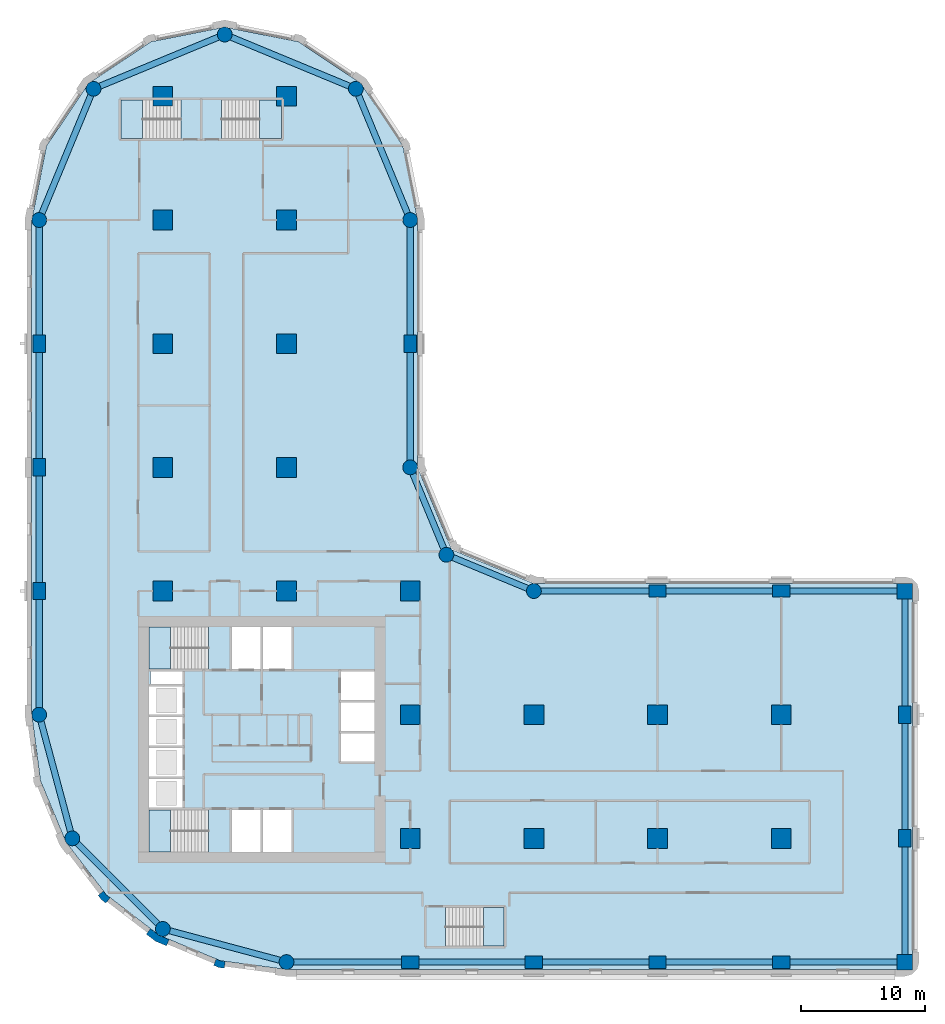
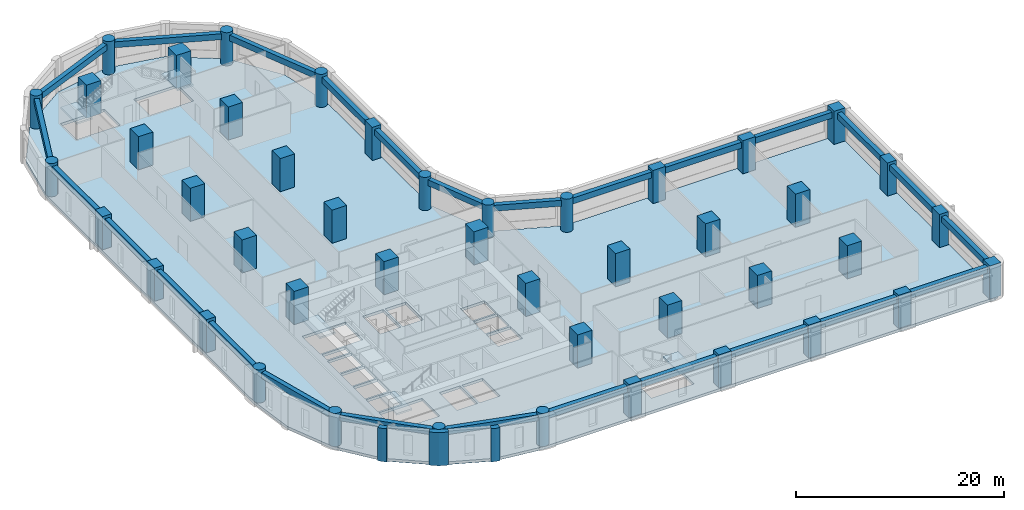
# One storey, part 1 of 10: 45 columns, 26 beams, 6 slabs, 3 walls, 5 elements without a shape of their own.
"""IFC4 building model written with IfcOpenShell, lengths in metres."""

import ifcopenshell
import ifcopenshell.guid

model = None  # the IFC model being written
_history = None  # IfcOwnerHistory: only IFC2X3 demands one
_inside = {}  # id of a spatial element -> (the spatial element, [elements in it])
_under = {}  # id of a project, library or spatial element -> (it, [spatial elements below it])
_declared = {}  # id of a project -> (the project, [libraries it declares])
_typed = {}  # id of a type object -> (the type object, [elements of that type])
_made_of = {}  # id of a material, layer set ... -> (it, [elements and type objects made of it])


def new_model(schema):
    """Start an empty IFC model of exactly this schema.

    Asked for "IFC4X3", IfcOpenShell would pick the latest addendum, in which some entities
    have other attributes; the version numbers below select the first issue.
    IFC2X3 requires an IfcOwnerHistory on every rooted entity: one is made here for all.
    """
    global model, _history
    if schema == "IFC4X3":
        model = ifcopenshell.file(schema_version=(4, 3, 0, 0))
    else:
        model = ifcopenshell.file(schema=schema)
    _inside.clear()
    _under.clear()
    _declared.clear()
    _typed.clear()
    _made_of.clear()
    _history = None
    if model.schema == "IFC2X3":
        org = make("IfcOrganization", Name="unknown")
        user = make(
            "IfcPersonAndOrganization",
            ThePerson=make("IfcPerson", FamilyName="unknown"),
            TheOrganization=org,
        )
        app = make(
            "IfcApplication",
            ApplicationDeveloper=org,
            Version="unknown",
            ApplicationFullName="unknown",
            ApplicationIdentifier="unknown",
        )
        _history = make(
            "IfcOwnerHistory",
            OwningUser=user,
            OwningApplication=app,
            ChangeAction="ADDED",
            CreationDate=0,
        )
    return model


def make(cls, **values):
    """One entity of the class cls with the attributes given. An attribute that is None is left unset."""
    return model.create_entity(
        cls, **{name: value for name, value in values.items() if value is not None}
    )


def rooted(cls, **values):
    """An entity with a GlobalId (a new one), such as an element, a storey or a relation."""
    return make(cls, GlobalId=ifcopenshell.guid.new(), OwnerHistory=_history, **values)


def si_unit(unit_type, name, prefix=None):
    """IfcSIUnit, for example si_unit("LENGTHUNIT", "METRE", prefix="MILLI")."""
    return make("IfcSIUnit", UnitType=unit_type, Prefix=prefix, Name=name)


def assignment(units):
    """IfcUnitAssignment: the units of a project."""
    return None if units is None else make("IfcUnitAssignment", Units=units)


def point(xyz):
    """IfcCartesianPoint."""
    return None if xyz is None else make("IfcCartesianPoint", Coordinates=xyz)


def direction(xyz):
    """IfcDirection."""
    return None if xyz is None else make("IfcDirection", DirectionRatios=xyz)


def frame(location, z_axis=None, x_axis=None):
    """IfcAxis2Placement3D, a coordinate frame: its origin and axes. An axis left out is left unset."""
    return make(
        "IfcAxis2Placement3D",
        Location=point(location),
        Axis=direction(z_axis),
        RefDirection=direction(x_axis),
    )


def frame_2d(location, x_axis=None):
    """IfcAxis2Placement2D, a coordinate frame in the plane: its origin and x axis."""
    return make(
        "IfcAxis2Placement2D", Location=point(location), RefDirection=direction(x_axis)
    )


def origin():
    """The frame at (0, 0, 0) with its axes left unset."""
    return frame((0.0, 0.0, 0.0))


def origin_2d():
    """The frame at (0, 0) in the plane with its x axis left unset."""
    return frame_2d((0.0, 0.0))


def place(relative_to, where):
    """IfcLocalPlacement: puts the frame where relative to a parent placement (None: the world)."""
    return make(
        "IfcLocalPlacement", PlacementRelTo=relative_to, RelativePlacement=where
    )


def context(
    kind, dimensions, precision=None, world=None, true_north=None, identifier=None
):
    """IfcGeometricRepresentationContext, for example the 3D "Model" context."""
    return make(
        "IfcGeometricRepresentationContext",
        ContextIdentifier=identifier,
        ContextType=kind,
        CoordinateSpaceDimension=dimensions,
        Precision=precision,
        WorldCoordinateSystem=world,
        TrueNorth=true_north,
    )


def subcontext(parent, identifier, kind, view, scale=None):
    """IfcGeometricRepresentationSubContext, for example "Body" below "Model"."""
    return make(
        "IfcGeometricRepresentationSubContext",
        ContextIdentifier=identifier,
        ContextType=kind,
        ParentContext=parent,
        TargetScale=scale,
        TargetView=view,
    )


def project(units=None, contexts=None):
    """IfcProject with its units and contexts."""
    return rooted(
        "IfcProject",
        Name="project",
        RepresentationContexts=contexts,
        UnitsInContext=assignment(units),
    )


def spatial(cls, under=None, at=None, **own):
    """A site, building, storey or space (cls), placed at a placement, below another one or the project."""
    s = rooted(cls, ObjectPlacement=at, **own)
    if under is not None:
        _under.setdefault(under.id(), (under, []))[1].append(s)
    return s


def polyline(points):
    """IfcPolyline through the points."""
    return make("IfcPolyline", Points=[point(p) for p in points])


def profile(cls, at=None, kind="AREA", **sizes):
    """A parametric profile (cls). Its sizes go by their IFC names, for example OverallWidth=200.0."""
    return make(cls, ProfileType=kind, Position=at, **sizes)


def rectangle(**sizes):
    """IfcRectangleProfileDef."""
    return profile("IfcRectangleProfileDef", **sizes)


def circle(**sizes):
    """IfcCircleProfileDef."""
    return profile("IfcCircleProfileDef", **sizes)


def outline(outer, holes=None, kind="AREA"):
    """IfcArbitraryClosedProfileDef: a profile drawn as a closed curve; with holes, ...WithVoids."""
    if holes is None:
        return make("IfcArbitraryClosedProfileDef", ProfileType=kind, OuterCurve=outer)
    return make(
        "IfcArbitraryProfileDefWithVoids",
        ProfileType=kind,
        OuterCurve=outer,
        InnerCurves=holes,
    )


def extrude(swept, where, along, depth):
    """IfcExtrudedAreaSolid: the profile swept, set in the frame where, extruded along a direction by depth."""
    return make(
        "IfcExtrudedAreaSolid",
        SweptArea=swept,
        Position=where,
        ExtrudedDirection=direction(along),
        Depth=depth,
    )


def shape(context_of_items, identifier, shape_type, items):
    """IfcShapeRepresentation: the items that make up one representation, for example the "Body"."""
    return make(
        "IfcShapeRepresentation",
        ContextOfItems=context_of_items,
        RepresentationIdentifier=identifier,
        RepresentationType=shape_type,
        Items=items,
    )


def material(Name=None, Category=None):
    """IfcMaterial."""
    return make("IfcMaterial", Name=Name, Category=Category)


def layer(
    of_material, thickness, ventilated=None, Name=None, Category=None, Priority=None
):
    """IfcMaterialLayer: one layer of a wall or slab, of a material (None: an air gap)."""
    return make(
        "IfcMaterialLayer",
        Material=of_material,
        LayerThickness=thickness,
        IsVentilated=ventilated,
        Name=Name,
        Category=Category,
        Priority=Priority,
    )


def layer_set(layers, Name=None):
    """IfcMaterialLayerSet."""
    return make("IfcMaterialLayerSet", MaterialLayers=layers, LayerSetName=Name)


def material_profile(
    of_material, cross_section, Name=None, Category=None, Priority=None
):
    """IfcMaterialProfile: a cross section and its material."""
    return make(
        "IfcMaterialProfile",
        Name=Name,
        Material=of_material,
        Profile=cross_section,
        Priority=Priority,
        Category=Category,
    )


def profile_set(profiles, Name=None, composite=None):
    """IfcMaterialProfileSet."""
    return make(
        "IfcMaterialProfileSet",
        Name=Name,
        MaterialProfiles=profiles,
        CompositeProfile=composite,
    )


def made_of(thing, what):
    """Note that an element or type object is made of a material, layer set ...; save() writes the relation."""
    if what is not None:
        _made_of.setdefault(what.id(), (what, []))[1].append(thing)
    return thing


def type_object(cls, material=None, **own):
    """A type object (cls), such as IfcWallType, which elements share."""
    return made_of(rooted(cls, **own), material)


def element(
    cls,
    number,
    at=None,
    inside=None,
    cuts=None,
    type_object=None,
    material=None,
    context=None,
    identifier="Body",
    shape_type=None,
    held_by="IfcProductDefinitionShape",
    body=None,
    shapes=None,
    **own,
):
    """One element of the class cls, such as IfcWall. Its Tag is "e" and its number.

    at: its placement. inside: the storey or other place that contains it. cuts: it is an
    opening in that element (IfcRelVoidsElement). A single representation is given by context,
    identifier, shape_type and body (its items); several are given by shapes. held_by: the class
    of the entity that holds the representations. save() writes the other relations.
    """
    e = rooted(cls, Tag="e%d" % number, ObjectPlacement=at, **own)
    if body is not None:
        shapes = [shape(context, identifier, shape_type, body)]
    if shapes is not None:
        e.Representation = make(held_by, Representations=shapes)
    if inside is not None:
        _inside.setdefault(inside.id(), (inside, []))[1].append(e)
    if cuts is not None:
        rooted(
            "IfcRelVoidsElement", RelatingBuildingElement=cuts, RelatedOpeningElement=e
        )
    if type_object is not None:
        _typed.setdefault(type_object.id(), (type_object, []))[1].append(e)
    return made_of(e, material)


def aggregate(whole, parts):
    """IfcRelAggregates: a whole, such as a stair, and the parts it consists of."""
    return rooted("IfcRelAggregates", RelatingObject=whole, RelatedObjects=parts)


def save(model, path):
    """Write the relations noted so far, then the file.

    IfcRelAggregates (storeys below a building ...), IfcRelContainedInSpatialStructure (elements
    in a storey), IfcRelDefinesByType, IfcRelAssociatesMaterial and IfcRelDeclares: one each for
    every whole, place, type object, material and project.
    """
    for whole, parts in _under.values():
        aggregate(whole, parts)
    for where, things in _inside.values():
        rooted(
            "IfcRelContainedInSpatialStructure",
            RelatedElements=things,
            RelatingStructure=where,
        )
    for kind, things in _typed.values():
        rooted("IfcRelDefinesByType", RelatedObjects=things, RelatingType=kind)
    for what, things in _made_of.values():
        rooted("IfcRelAssociatesMaterial", RelatedObjects=things, RelatingMaterial=what)
    for by, libraries in _declared.values():
        rooted("IfcRelDeclares", RelatingContext=by, RelatedDefinitions=libraries)
    model.write(path)


model = new_model("IFC4")

# Units and contexts
model_context = context("Model", 3, precision=1e-05, world=origin(), true_north=direction((0.0, 1.0)))
body_context = subcontext(model_context, "Body", "Model", "MODEL_VIEW")
ifc_project = project(units=[si_unit("LENGTHUNIT", "METRE"), si_unit("AREAUNIT", "SQUARE_METRE"), si_unit("VOLUMEUNIT", "CUBIC_METRE"), si_unit("PLANEANGLEUNIT", "RADIAN"), si_unit("MASSUNIT", "GRAM", prefix="KILO")], contexts=[model_context])

# Site, building, storey
site_placement = place(None, origin())
site = spatial("IfcSite", under=ifc_project, at=site_placement, CompositionType="ELEMENT")
building_placement = place(site_placement, origin())
building = spatial("IfcBuilding", under=site, at=building_placement, Name="Qaws Garden Tower", CompositionType="ELEMENT")
storey_placement = place(building_placement, frame((0.0, 0.0, 39.300048828125)))
storey = spatial("IfcBuildingStorey", under=building, at=storey_placement, Name="L09", CompositionType="ELEMENT", Elevation=39.300048828125)

# Columns
ifc_material_1 = material(Name="Concrete C80", Category="concrete")
ifc_material_profile_1 = material_profile(ifc_material_1, rectangle(XDim=1.25, YDim=1.25, at=origin_2d()), Name="RC 1250x1250")
ifc_profile_set_1 = profile_set([ifc_material_profile_1], Name="Concrete C80")
column_type_1 = type_object("IfcColumnType", Name="Column RC 1250x1250 C80", PredefinedType="COLUMN", material=ifc_profile_set_1)
for number, where, z_axis, x_axis, name in (
    (1, (70.0, 0.0, 0.0), (0.0, 0.0, 1.0), (1.0, 0.0, 0.0), "Column L09-006"),
    (2, (70.0, 30.0, 0.0), (0.0, 0.0, 1.0), (1.0, 0.0, 0.0), "Column L09-009"),
):
    element("IfcColumn", number, at=place(storey_placement, frame(where, z_axis=z_axis, x_axis=x_axis)), inside=storey, type_object=column_type_1, Name=name, PredefinedType="COLUMN", context=body_context, shape_type="SweptSolid", body=[
        extrude(rectangle(XDim=1.25, YDim=1.25, at=origin_2d()), origin(), (0.0, 0.0, 1.0), 3.89990234375),
    ])
ifc_material_2 = material(Name="Concrete C80", Category="concrete")
ifc_material_profile_2 = material_profile(ifc_material_2, rectangle(XDim=1.39990234375, YDim=1.0, at=origin_2d()), Name="RC 1400x1000")
ifc_profile_set_2 = profile_set([ifc_material_profile_2], Name="Concrete C80")
column_type_2 = type_object("IfcColumnType", Name="Column RC 1400x1000 C80", PredefinedType="COLUMN", material=ifc_profile_set_2)
for number, where, z_axis, x_axis, name in (
    (3, (30.0, 0.0, 0.0), (0.0, 0.0, 1.0), (1.0, 0.0, 0.0), "Column L09-002"),
    (4, (40.0, 0.0, 0.0), (0.0, 0.0, 1.0), (1.0, 0.0, 0.0), "Column L09-003"),
    (5, (50.0, 0.0, 0.0), (0.0, 0.0, 1.0), (1.0, 0.0, 0.0), "Column L09-004"),
    (6, (60.0, 0.0, 0.0), (0.0, 0.0, 1.0), (1.0, 0.0, 0.0), "Column L09-005"),
    (7, (70.0, 10.0, 0.0), (0.0, 0.0, 1.0), (0.0, 1.0, 0.0), "Column L09-007"),
    (8, (70.0, 20.0, 0.0), (0.0, 0.0, 1.0), (0.0, 1.0, 0.0), "Column L09-008"),
    (9, (60.0, 30.0, 0.0), (0.0, 0.0, 1.0), (1.0, 0.0, 0.0), "Column L09-010"),
    (10, (50.0, 30.0, 0.0), (0.0, 0.0, 1.0), (1.0, 0.0, 0.0), "Column L09-011"),
    (11, (30.0, 50.0, 0.0), (0.0, 0.0, 1.0), (0.0, 1.0, 0.0), "Column L09-015"),
    (12, (0.0, 50.0, 0.0), (0.0, 0.0, 1.0), (0.0, 1.0, 0.0), "Column L09-021"),
    (13, (0.0, 40.0, 0.0), (0.0, 0.0, 1.0), (0.0, 1.0, 0.0), "Column L09-022"),
    (14, (0.0, 30.0, 0.0), (0.0, 0.0, 1.0), (0.0, 1.0, 0.0), "Column L09-023"),
):
    element("IfcColumn", number, at=place(storey_placement, frame(where, z_axis=z_axis, x_axis=x_axis)), inside=storey, type_object=column_type_2, Name=name, PredefinedType="COLUMN", context=body_context, shape_type="SweptSolid", body=[
        extrude(rectangle(XDim=1.39990234375, YDim=1.0, at=origin_2d()), origin(), (0.0, 0.0, 1.0), 3.89990234375),
    ])
ifc_material_3 = material(Name="Concrete C80", Category="concrete")
ifc_material_profile_3 = material_profile(ifc_material_3, rectangle(XDim=1.60009765625, YDim=1.60009765625, at=origin_2d()), Name="RC 1600x1600")
ifc_profile_set_3 = profile_set([ifc_material_profile_3], Name="Concrete C80")
column_type_3 = type_object("IfcColumnType", Name="Column RC 1600x1600 C80", PredefinedType="COLUMN", material=ifc_profile_set_3)
for number, where, z_axis, x_axis, name in (
    (15, (10.0, 30.0, 0.0), (0.0, 0.0, 1.0), (1.0, 0.0, 0.0), "Column L09-027"),
    (16, (10.0, 40.0, 0.0), (0.0, 0.0, 1.0), (1.0, 0.0, 0.0), "Column L09-028"),
    (17, (10.0, 50.0, 0.0), (0.0, 0.0, 1.0), (1.0, 0.0, 0.0), "Column L09-029"),
    (18, (10.0, 60.0, 0.0), (0.0, 0.0, 1.0), (1.0, 0.0, 0.0), "Column L09-030"),
    (19, (10.0, 70.0, 0.0), (0.0, 0.0, 1.0), (1.0, 0.0, 0.0), "Column L09-031"),
    (20, (20.0, 30.0, 0.0), (0.0, 0.0, 1.0), (1.0, 0.0, 0.0), "Column L09-032"),
    (21, (20.0, 40.0, 0.0), (0.0, 0.0, 1.0), (1.0, 0.0, 0.0), "Column L09-033"),
    (22, (20.0, 50.0, 0.0), (0.0, 0.0, 1.0), (1.0, 0.0, 0.0), "Column L09-034"),
    (23, (20.0, 60.0, 0.0), (0.0, 0.0, 1.0), (1.0, 0.0, 0.0), "Column L09-035"),
    (24, (20.0, 70.0, 0.0), (0.0, 0.0, 1.0), (1.0, 0.0, 0.0), "Column L09-036"),
    (25, (30.0, 10.0, 0.0), (0.0, 0.0, 1.0), (1.0, 0.0, 0.0), "Column L09-037"),
    (26, (30.0, 20.0, 0.0), (0.0, 0.0, 1.0), (1.0, 0.0, 0.0), "Column L09-038"),
    (27, (30.0, 30.0, 0.0), (0.0, 0.0, 1.0), (1.0, 0.0, 0.0), "Column L09-039"),
    (28, (40.0, 10.0, 0.0), (0.0, 0.0, 1.0), (1.0, 0.0, 0.0), "Column L09-040"),
    (29, (40.0, 20.0, 0.0), (0.0, 0.0, 1.0), (1.0, 0.0, 0.0), "Column L09-041"),
    (30, (50.0, 10.0, 0.0), (0.0, 0.0, 1.0), (1.0, 0.0, 0.0), "Column L09-042"),
    (31, (50.0, 20.0, 0.0), (0.0, 0.0, 1.0), (1.0, 0.0, 0.0), "Column L09-043"),
    (32, (60.0, 10.0, 0.0), (0.0, 0.0, 1.0), (1.0, 0.0, 0.0), "Column L09-044"),
    (33, (60.0, 20.0, 0.0), (0.0, 0.0, 1.0), (1.0, 0.0, 0.0), "Column L09-045"),
):
    element("IfcColumn", number, at=place(storey_placement, frame(where, z_axis=z_axis, x_axis=x_axis)), inside=storey, type_object=column_type_3, Name=name, PredefinedType="COLUMN", context=body_context, shape_type="SweptSolid", body=[
        extrude(rectangle(XDim=1.60009765625, YDim=1.60009765625, at=origin_2d()), origin(), (0.0, 0.0, 1.0), 3.89990234375),
    ])
ifc_material_4 = material(Name="Concrete C80", Category="concrete")
ifc_material_profile_4 = material_profile(ifc_material_4, circle(Radius=0.60009765625, at=origin_2d()), Name="RC D1200")
ifc_profile_set_4 = profile_set([ifc_material_profile_4], Name="Concrete C80")
column_type_4 = type_object("IfcColumnType", Name="Column RC D1200 C80", PredefinedType="COLUMN", material=ifc_profile_set_4)
for number, where, z_axis, x_axis, name in (
    (34, (20.0, 0.0, 0.0), (0.0, 0.0, 1.0), (1.0, 0.0, 0.0), "Column L09-001"),
    (35, (40.0, 30.0, 0.0), (0.0, 0.0, 1.0), (1.0, 0.0, 0.0), "Column L09-012"),
    (36, (32.928955078125, 32.928955078125, 0.0), (0.0, 0.0, 1.0), (1.0, 0.0, 0.0), "Column L09-013"),
    (37, (30.0, 40.0, 0.0), (0.0, 0.0, 1.0), (1.0, 0.0, 0.0), "Column L09-014"),
    (38, (30.0, 60.0, 0.0), (0.0, 0.0, 1.0), (1.0, 0.0, 0.0), "Column L09-016"),
    (39, (25.606689453125, 70.606689453125, 0.0), (0.0, 0.0, 1.0), (1.0, 0.0, 0.0), "Column L09-017"),
    (40, (15.0, 75.0, 0.0), (0.0, 0.0, 1.0), (1.0, 0.0, 0.0), "Column L09-018"),
    (41, (4.393310546875, 70.606689453125, 0.0), (0.0, 0.0, 1.0), (1.0, 0.0, 0.0), "Column L09-019"),
    (42, (0.0, 60.0, 0.0), (0.0, 0.0, 1.0), (1.0, 0.0, 0.0), "Column L09-020"),
    (43, (0.0, 20.0, 0.0), (0.0, 0.0, 1.0), (1.0, 0.0, 0.0), "Column L09-024"),
    (44, (2.679443359375, 10.0, 0.0), (0.0, 0.0, 1.0), (1.0, 0.0, 0.0), "Column L09-025"),
    (45, (10.0, 2.679443359375, 0.0), (0.0, 0.0, 1.0), (1.0, 0.0, 0.0), "Column L09-026"),
):
    element("IfcColumn", number, at=place(storey_placement, frame(where, z_axis=z_axis, x_axis=x_axis)), inside=storey, type_object=column_type_4, Name=name, PredefinedType="COLUMN", context=body_context, shape_type="SweptSolid", body=[
        extrude(circle(Radius=0.60009765625, at=origin_2d()), origin(), (0.0, 0.0, 1.0), 3.89990234375),
    ])

# Beams
ifc_material_5 = material(Name="Concrete C45", Category="concrete")
ifc_material_profile_5 = material_profile(ifc_material_5, rectangle(XDim=0.5, YDim=0.699951171875, at=origin_2d()), Name="RC 500x700")
ifc_profile_set_5 = profile_set([ifc_material_profile_5], Name="Concrete C45")
beam_type = type_object("IfcBeamType", Name="Spandrel beam RC 500x700 C45", PredefinedType="SPANDREL", material=ifc_profile_set_5)
for number, where, z_axis, x_axis, name in (
    (46, (20.0, 0.0, 3.22998046875), (1.0, 0.0, 0.0), (0.0, 1.0, 0.0), "Spandrel beam L09-001"),
    (47, (30.0, 0.0, 3.22998046875), (1.0, 0.0, 0.0), (0.0, 1.0, 0.0), "Spandrel beam L09-002"),
    (48, (40.0, 0.0, 3.22998046875), (1.0, 0.0, 0.0), (0.0, 1.0, 0.0), "Spandrel beam L09-003"),
    (49, (50.0, 0.0, 3.22998046875), (1.0, 0.0, 0.0), (0.0, 1.0, 0.0), "Spandrel beam L09-004"),
    (50, (60.0, 0.0, 3.22998046875), (1.0, 0.0, 0.0), (0.0, 1.0, 0.0), "Spandrel beam L09-005"),
    (51, (70.0, 0.0, 3.22998046875), (0.0, 1.0, 0.0), (-1.0, 0.0, 0.0), "Spandrel beam L09-006"),
    (52, (70.0, 10.0, 3.22998046875), (0.0, 1.0, 0.0), (-1.0, 0.0, 0.0), "Spandrel beam L09-007"),
    (53, (70.0, 20.0, 3.22998046875), (0.0, 1.0, 0.0), (-1.0, 0.0, 0.0), "Spandrel beam L09-008"),
    (54, (70.0, 30.0, 3.22998046875), (-1.0, 0.0, 0.0), (0.0, -1.0, 0.0), "Spandrel beam L09-009"),
    (55, (60.0, 30.0, 3.22998046875), (-1.0, 0.0, 0.0), (0.0, -1.0, 0.0), "Spandrel beam L09-010"),
    (56, (50.0, 30.0, 3.22998046875), (-1.0, 0.0, 0.0), (0.0, -1.0, 0.0), "Spandrel beam L09-011"),
):
    element("IfcBeam", number, at=place(storey_placement, frame(where, z_axis=z_axis, x_axis=x_axis)), inside=storey, type_object=beam_type, Name=name, PredefinedType="SPANDREL", context=body_context, shape_type="SweptSolid", body=[
        extrude(rectangle(XDim=0.5, YDim=0.699951171875, at=origin_2d()), origin(), (0.0, 0.0, 1.0), 10.0),
    ])
for number, where, z_axis, x_axis, name in (
    (57, (40.0, 30.0, 3.22998046875), (-0.923878037141, 0.382687042488, 0.0), (-0.382687042488, -0.923878037141, 0.0), "Spandrel beam L09-012"),
    (58, (32.928955078125, 32.928955078125, 3.22998046875), (-0.382687042488, 0.923878037141, 0.0), (-0.923878037141, -0.382687042488, 0.0), "Spandrel beam L09-013"),
):
    element("IfcBeam", number, at=place(storey_placement, frame(where, z_axis=z_axis, x_axis=x_axis)), inside=storey, type_object=beam_type, Name=name, PredefinedType="SPANDREL", context=body_context, shape_type="SweptSolid", body=[
        extrude(rectangle(XDim=0.5, YDim=0.699951171875, at=origin_2d()), origin(), (0.0, 0.0, 1.0), 7.653564453125),
    ])
for number, where, z_axis, x_axis, name in (
    (59, (30.0, 40.0, 3.22998046875), (0.0, 1.0, 0.0), (-1.0, 0.0, 0.0), "Spandrel beam L09-014"),
    (60, (30.0, 50.0, 3.22998046875), (0.0, 1.0, 0.0), (-1.0, 0.0, 0.0), "Spandrel beam L09-015"),
):
    element("IfcBeam", number, at=place(storey_placement, frame(where, z_axis=z_axis, x_axis=x_axis)), inside=storey, type_object=beam_type, Name=name, PredefinedType="SPANDREL", context=body_context, shape_type="SweptSolid", body=[
        extrude(rectangle(XDim=0.5, YDim=0.699951171875, at=origin_2d()), origin(), (0.0, 0.0, 1.0), 10.0),
    ])
for number, where, z_axis, x_axis, name in (
    (61, (30.0, 60.0, 3.22998046875), (-0.382674207535, 0.923883353507, 0.0), (-0.923883353507, -0.382674207535, 0.0), "Spandrel beam L09-016"),
    (62, (25.606689453125, 70.606689453125, 3.22998046875), (-0.923883353507, 0.382674207535, 0.0), (-0.382674207535, -0.923883353507, 0.0), "Spandrel beam L09-017"),
    (63, (15.0, 75.0, 3.22998046875), (-0.923883353507, -0.382674207535, 0.0), (0.382674207535, -0.923883353507, 0.0), "Spandrel beam L09-018"),
    (64, (4.393310546875, 70.606689453125, 3.22998046875), (-0.382674207535, -0.923883353507, 0.0), (0.923883353507, -0.382674207535, 0.0), "Spandrel beam L09-019"),
):
    element("IfcBeam", number, at=place(storey_placement, frame(where, z_axis=z_axis, x_axis=x_axis)), inside=storey, type_object=beam_type, Name=name, PredefinedType="SPANDREL", context=body_context, shape_type="SweptSolid", body=[
        extrude(rectangle(XDim=0.5, YDim=0.699951171875, at=origin_2d()), origin(), (0.0, 0.0, 1.0), 11.48046875),
    ])
for number, where, z_axis, x_axis, name in (
    (65, (0.0, 60.0, 3.22998046875), (0.0, -1.0, 0.0), (1.0, 0.0, 0.0), "Spandrel beam L09-020"),
    (66, (0.0, 50.0, 3.22998046875), (0.0, -1.0, 0.0), (1.0, 0.0, 0.0), "Spandrel beam L09-021"),
    (67, (0.0, 40.0, 3.22998046875), (0.0, -1.0, 0.0), (1.0, 0.0, 0.0), "Spandrel beam L09-022"),
    (68, (0.0, 30.0, 3.22998046875), (0.0, -1.0, 0.0), (1.0, 0.0, 0.0), "Spandrel beam L09-023"),
):
    element("IfcBeam", number, at=place(storey_placement, frame(where, z_axis=z_axis, x_axis=x_axis)), inside=storey, type_object=beam_type, Name=name, PredefinedType="SPANDREL", context=body_context, shape_type="SweptSolid", body=[
        extrude(rectangle(XDim=0.5, YDim=0.699951171875, at=origin_2d()), origin(), (0.0, 0.0, 1.0), 10.0),
    ])
for number, where, z_axis, x_axis, name in (
    (69, (0.0, 20.0, 3.22998046875), (0.25881466832, -0.965926999034, 0.0), (0.965926999034, 0.25881466832, 0.0), "Spandrel beam L09-024"),
    (70, (2.679443359375, 10.0, 3.22998046875), (0.707106781187, -0.707106781187, 0.0), (0.707106781187, 0.707106781187, 0.0), "Spandrel beam L09-025"),
    (71, (10.0, 2.679443359375, 3.22998046875), (0.965926999034, -0.25881466832, 0.0), (0.25881466832, 0.965926999034, 0.0), "Spandrel beam L09-026"),
):
    element("IfcBeam", number, at=place(storey_placement, frame(where, z_axis=z_axis, x_axis=x_axis)), inside=storey, type_object=beam_type, Name=name, PredefinedType="SPANDREL", context=body_context, shape_type="SweptSolid", body=[
        extrude(rectangle(XDim=0.5, YDim=0.699951171875, at=origin_2d()), origin(), (0.0, 0.0, 1.0), 10.352783203125),
    ])

# Slab
ifc_material_6 = material(Name="Concrete C40", Category="concrete")
ifc_layer_1 = layer(ifc_material_6, 0.320068359375)
ifc_layer_set_1 = layer_set([ifc_layer_1], Name="Concrete C40")
slab_type_1 = type_object("IfcSlabType", Name="Floor slab 320 C40", PredefinedType="FLOOR", material=ifc_layer_set_1)
slab_1_placement = place(storey_placement, frame((0.0, 0.0, -0.320068359375)))
element("IfcSlab", 72, at=slab_1_placement, inside=storey, type_object=slab_type_1, Name="Floor slab L09", PredefinedType="FLOOR", context=body_context, shape_type="SweptSolid", body=[
    extrude(outline(polyline([(0.101806640625, 14.668212890625), (-0.60009765625, 20.0), (-0.60009765625, 30.60009765625), (-0.60009765625, 60.0), (-0.60009765625, 60.0), (0.58740234375, 65.969970703125), (3.968994140625, 71.031005859375), (9.030029296875, 74.41259765625), (15.0, 75.60009765625), (20.969970703125, 74.41259765625), (26.031005859375, 71.031005859375), (29.41259765625, 65.969970703125), (30.60009765625, 60.0), (30.60009765625, 40.0), (33.353271484375, 33.353271484375), (40.0, 30.60009765625), (70.0, 30.60009765625), (70.42431640625, 30.42431640625), (70.60009765625, 30.0), (70.60009765625, 0.0), (70.42431640625, -0.42431640625), (70.0, -0.60009765625), (30.60009765625, -0.60009765625), (20.0, -0.60009765625), (14.668212890625, 0.101806640625), (9.699951171875, 2.159912109375), (5.43359375, 5.43359375), (2.159912109375, 9.699951171875), (0.101806640625, 14.668212890625)]), holes=[polyline([(13.699462890625, 12.300048828125), (8.89990234375, 12.300048828125), (8.89990234375, 8.89990234375), (13.699462890625, 8.89990234375), (13.699462890625, 12.300048828125)]), polyline([(17.89990234375, 12.300048828125), (15.60009765625, 12.300048828125), (15.60009765625, 8.89990234375), (17.89990234375, 8.89990234375), (17.89990234375, 12.300048828125)]), polyline([(11.60009765625, 14.800048828125), (8.89990234375, 14.800048828125), (8.89990234375, 12.5), (11.60009765625, 12.5), (11.60009765625, 14.800048828125)]), polyline([(11.60009765625, 17.300048828125), (8.89990234375, 17.300048828125), (8.89990234375, 15.0), (11.60009765625, 15.0), (11.60009765625, 17.300048828125)]), polyline([(11.60009765625, 19.800048828125), (8.89990234375, 19.800048828125), (8.89990234375, 17.5), (11.60009765625, 17.5), (11.60009765625, 19.800048828125)]), polyline([(11.60009765625, 22.300048828125), (8.89990234375, 22.300048828125), (8.89990234375, 20.0), (11.60009765625, 20.0), (11.60009765625, 22.300048828125)]), polyline([(11.60009765625, 23.5), (9.0, 23.5), (9.0, 22.5), (11.60009765625, 22.5), (11.60009765625, 23.5)]), polyline([(13.699462890625, 27.10009765625), (8.89990234375, 27.10009765625), (8.89990234375, 23.699951171875), (13.699462890625, 23.699951171875), (13.699462890625, 27.10009765625)]), polyline([(11.449462890625, 69.699951171875), (6.60009765625, 69.699951171875), (6.60009765625, 66.60009765625), (11.449462890625, 66.60009765625), (11.449462890625, 69.699951171875)]), polyline([(37.60009765625, 4.39990234375), (32.8505859375, 4.39990234375), (32.8505859375, 1.300048828125), (37.60009765625, 1.300048828125), (37.60009765625, 4.39990234375)]), polyline([(20.39990234375, 12.300048828125), (18.10009765625, 12.300048828125), (18.10009765625, 8.89990234375), (20.39990234375, 8.89990234375), (20.39990234375, 12.300048828125)]), polyline([(27.10009765625, 18.5), (24.39990234375, 18.5), (24.39990234375, 16.199951171875), (27.10009765625, 16.199951171875), (27.10009765625, 18.5)]), polyline([(27.10009765625, 21.0), (24.39990234375, 21.0), (24.39990234375, 18.699951171875), (27.10009765625, 18.699951171875), (27.10009765625, 21.0)]), polyline([(27.10009765625, 23.5), (24.39990234375, 23.5), (24.39990234375, 21.199951171875), (27.10009765625, 21.199951171875), (27.10009765625, 23.5)]), polyline([(17.89990234375, 27.10009765625), (15.60009765625, 27.10009765625), (15.60009765625, 23.699951171875), (17.89990234375, 23.699951171875), (17.89990234375, 27.10009765625)]), polyline([(20.39990234375, 23.699951171875), (20.39990234375, 27.10009765625), (18.10009765625, 27.10009765625), (18.10009765625, 23.699951171875), (20.39990234375, 23.699951171875)]), polyline([(19.60009765625, 66.60009765625), (19.60009765625, 69.699951171875), (14.75048828125, 69.699951171875), (14.75048828125, 66.60009765625), (19.60009765625, 66.60009765625)])]), origin(), (0.0, 0.0, 1.0), 0.320068359375),
])

# Stair, slab
ifc_material_7 = material(Name="Concrete C40", Category="concrete")
stair_type_1 = type_object("IfcStairType", Name="Exit stair 1500", PredefinedType="HALF_TURN_STAIR", material=ifc_material_7)
placement_1 = place(storey_placement, origin())
stair_1 = element("IfcStair", 73, at=placement_1, inside=storey, type_object=stair_type_1, Name="Stair 1", PredefinedType="HALF_TURN_STAIR")
ifc_material_8 = material(Name="Concrete C40", Category="concrete")
ifc_layer_2 = layer(ifc_material_8, 0.199951171875)
ifc_layer_set_2 = layer_set([ifc_layer_2], Name="Concrete C40")
slab_type_2 = type_object("IfcSlabType", Name="Stair landing 200", PredefinedType="LANDING", material=ifc_layer_set_2)
placement_2 = place(storey_placement, frame((0.0, 0.0, 1.75)))
slab_2 = element("IfcSlab", 74, at=placement_2, type_object=slab_type_2, Name="ST1 landing 1", PredefinedType="LANDING", context=body_context, shape_type="SweptSolid", body=[
    extrude(outline(polyline([(8.89990234375, 8.89990234375), (10.6201171875, 8.89990234375), (10.6201171875, 12.300048828125), (8.89990234375, 12.300048828125), (8.89990234375, 8.89990234375)])), origin(), (0.0, 0.0, 1.0), 0.199951171875),
])
aggregate(stair_1, [slab_2])

stair_2 = element("IfcStair", 75, at=placement_1, inside=storey, type_object=stair_type_1, Name="Stair 4", PredefinedType="HALF_TURN_STAIR")
slab_3 = element("IfcSlab", 76, at=placement_2, type_object=slab_type_2, Name="ST4 landing 1", PredefinedType="LANDING", context=body_context, shape_type="SweptSolid", body=[
    extrude(outline(polyline([(8.89990234375, 23.699951171875), (10.6201171875, 23.699951171875), (10.6201171875, 27.10009765625), (8.89990234375, 27.10009765625), (8.89990234375, 23.699951171875)])), origin(), (0.0, 0.0, 1.0), 0.199951171875),
])
aggregate(stair_2, [slab_3])

ifc_material_9 = material(Name="Concrete C40", Category="concrete")
stair_type_2 = type_object("IfcStairType", Name="Exit stair 1350", PredefinedType="HALF_TURN_STAIR", material=ifc_material_9)
stair_3 = element("IfcStair", 77, at=placement_1, inside=storey, type_object=stair_type_2, Name="Stair 5", PredefinedType="HALF_TURN_STAIR")
slab_4 = element("IfcSlab", 78, at=placement_2, type_object=slab_type_2, Name="ST5 landing 1", PredefinedType="LANDING", context=body_context, shape_type="SweptSolid", body=[
    extrude(outline(polyline([(35.929931640625, 1.300048828125), (37.60009765625, 1.300048828125), (37.60009765625, 4.39990234375), (35.929931640625, 4.39990234375), (35.929931640625, 1.300048828125)])), origin(), (0.0, 0.0, 1.0), 0.199951171875),
])
aggregate(stair_3, [slab_4])

stair_4 = element("IfcStair", 79, at=placement_1, inside=storey, type_object=stair_type_2, Name="Stair 6", PredefinedType="HALF_TURN_STAIR")
slab_5 = element("IfcSlab", 80, at=placement_2, type_object=slab_type_2, Name="ST6 landing 1", PredefinedType="LANDING", context=body_context, shape_type="SweptSolid", body=[
    extrude(outline(polyline([(6.60009765625, 66.60009765625), (8.3701171875, 66.60009765625), (8.3701171875, 69.699951171875), (6.60009765625, 69.699951171875), (6.60009765625, 66.60009765625)])), origin(), (0.0, 0.0, 1.0), 0.199951171875),
])
aggregate(stair_4, [slab_5])

stair_5 = element("IfcStair", 81, at=placement_1, inside=storey, type_object=stair_type_2, Name="Stair 7", PredefinedType="HALF_TURN_STAIR")
slab_6 = element("IfcSlab", 82, at=placement_2, type_object=slab_type_2, Name="ST7 landing 1", PredefinedType="LANDING", context=body_context, shape_type="SweptSolid", body=[
    extrude(outline(polyline([(17.830078125, 66.60009765625), (19.60009765625, 66.60009765625), (19.60009765625, 69.699951171875), (17.830078125, 69.699951171875), (17.830078125, 66.60009765625)])), origin(), (0.0, 0.0, 1.0), 0.199951171875),
])
aggregate(stair_5, [slab_6])

# Walls
ifc_material_10 = material(Name="Clay facing brick masonry", Category="masonry")
ifc_layer_3 = layer(ifc_material_10, 0.550048828125)
ifc_layer_set_3 = layer_set([ifc_layer_3], Name="Clay facing brick masonry")
wall_type_1 = type_object("IfcWallType", Name="Brick kink pier 550 x 600", PredefinedType="SOLIDWALL", material=ifc_layer_set_3)
element("IfcWall", 83, at=placement_1, inside=storey, type_object=wall_type_1, Name="E-L09-pier-30", PredefinedType="SOLIDWALL", context=body_context, shape_type="SweptSolid", body=[
    extrude(outline(polyline([(4.8818359375, 5.487060546875), (4.762939453125, 5.395751953125), (5.03759765625, 5.03759765625), (5.395751953125, 4.762939453125), (5.487060546875, 4.8818359375), (5.730712890625, 5.19921875), (5.429931640625, 5.429931640625), (5.19921875, 5.730712890625), (4.8818359375, 5.487060546875)])), origin(), (0.0, 0.0, 1.0), 3.89990234375),
])
element("IfcWall", 84, at=placement_1, inside=storey, type_object=wall_type_1, Name="E-L09-pier-32", PredefinedType="SOLIDWALL", context=body_context, shape_type="SweptSolid", body=[
    extrude(outline(polyline([(14.163818359375, -0.127685546875), (14.1064453125, -0.26611328125), (14.5234375, -0.43896484375), (14.970947265625, -0.497802734375), (14.990478515625, -0.34912109375), (15.042724609375, 0.04736328125), (14.6669921875, 0.096923828125), (14.31689453125, 0.241943359375), (14.163818359375, -0.127685546875)])), origin(), (0.0, 0.0, 1.0), 3.89990234375),
])
ifc_material_11 = material(Name="Clay facing brick masonry", Category="masonry")
ifc_layer_4 = layer(ifc_material_11, 0.550048828125)
ifc_layer_set_4 = layer_set([ifc_layer_4], Name="Clay facing brick masonry")
wall_type_2 = type_object("IfcWallType", Name="Brick pier 550 x 1600", PredefinedType="SOLIDWALL", material=ifc_layer_set_4)
element("IfcWall", 85, at=placement_1, inside=storey, type_object=wall_type_2, Name="E-L09-pier-31", PredefinedType="SOLIDWALL", context=body_context, shape_type="SweptSolid", body=[
    extrude(outline(polyline([(8.756591796875, 2.373046875), (8.665283203125, 2.254150390625), (9.419921875, 1.675048828125), (10.299072265625, 1.310791015625), (10.3564453125, 1.449462890625), (10.509521484375, 1.819091796875), (9.697509765625, 2.1552734375), (9.0, 2.6904296875), (8.756591796875, 2.373046875)])), origin(), (0.0, 0.0, 1.0), 3.89990234375),
])

save(model, "model.ifc")
